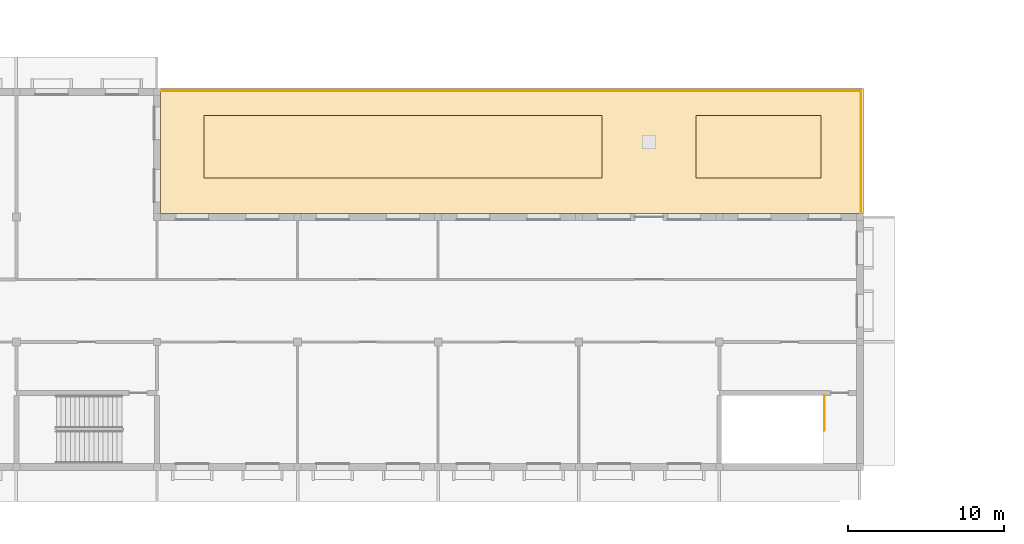
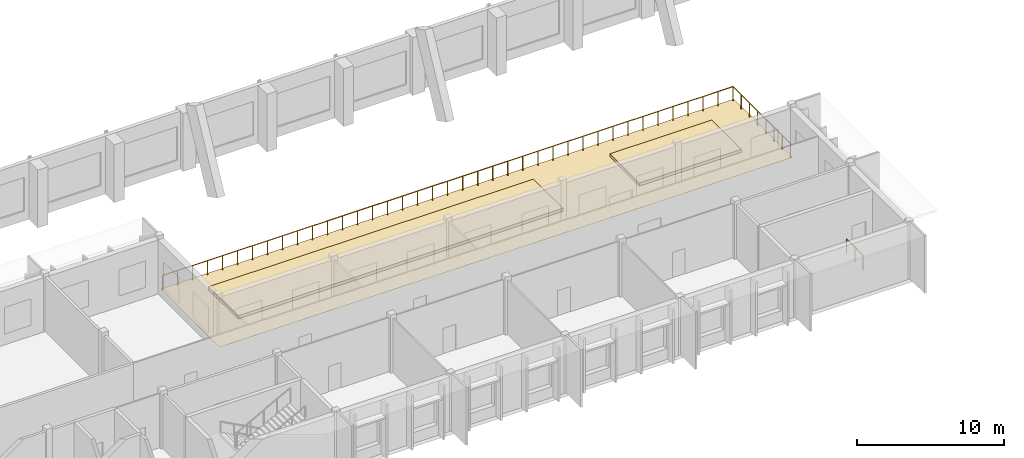
# One storey, part 174 of 182: 3 coverings, 2 railings.
"""IFC4 building model written with IfcOpenShell, lengths in metres."""

from ifc_helpers import new_model, si_unit, direction, frame, origin, origin_2d, place, context, subcontext, project, spatial, polyline, circle, outline, extrude, material, layer, layer_set, type_object, element, save


model = new_model("IFC4")

# Units and contexts
model_context = context("Model", 3, precision=1e-05, world=origin(), true_north=direction((0.0, 1.0)))
body_context = subcontext(model_context, "Body", "Model", "MODEL_VIEW")
ifc_project = project(units=[si_unit("LENGTHUNIT", "METRE"), si_unit("AREAUNIT", "SQUARE_METRE"), si_unit("VOLUMEUNIT", "CUBIC_METRE"), si_unit("PLANEANGLEUNIT", "RADIAN"), si_unit("MASSUNIT", "GRAM", prefix="KILO")], contexts=[model_context])

# Site, building, storey
site_placement = place(None, origin())
site = spatial("IfcSite", under=ifc_project, at=site_placement, CompositionType="ELEMENT")
building_placement = place(site_placement, origin())
building = spatial("IfcBuilding", under=site, at=building_placement, Name="Okhra Congress Centre", CompositionType="ELEMENT")
storey_placement = place(building_placement, frame((0.0, 0.0, 7.199951171875)))
storey = spatial("IfcBuildingStorey", under=building, at=storey_placement, Name="L01", CompositionType="ELEMENT", Elevation=7.199951171875)

# Coverings
ifc_material_1 = material(Name="Drainage mat, filter fleece, 150 mm lightweight substrate with sedum and herb planting")
ifc_layer_1 = layer(ifc_material_1, 0.25)
ifc_layer_set_1 = layer_set([ifc_layer_1], Name="Green roof planting bed 250")
covering_type_1 = type_object("IfcCoveringType", Name="Green roof planting bed 250", PredefinedType="USERDEFINED", material=ifc_layer_set_1)
covering_1_placement = place(storey_placement, frame((0.0, 0.0, 0.006103515625)))
element("IfcCovering", 1, at=covering_1_placement, inside=storey, type_object=covering_type_1, Name="Green roof planting bed", ObjectType="GREEN ROOF", PredefinedType="USERDEFINED", context=body_context, shape_type="SweptSolid", body=[
    extrude(outline(polyline([(76.0, 114.5), (101.5, 114.5), (101.5, 118.5), (76.0, 118.5), (76.0, 114.5)])), origin(), (0.0, 0.0, 1.0), 0.25),
])
covering_2_placement = place(storey_placement, frame((0.0, 0.0, 0.006103515625)))
element("IfcCovering", 2, at=covering_2_placement, inside=storey, type_object=covering_type_1, Name="Green roof planting bed", ObjectType="GREEN ROOF", PredefinedType="USERDEFINED", context=body_context, shape_type="SweptSolid", body=[
    extrude(outline(polyline([(107.5, 114.5), (115.5, 114.5), (115.5, 118.5), (107.5, 118.5), (107.5, 114.5)])), origin(), (0.0, 0.0, 1.0), 0.25),
])
ifc_material_2 = material(Name="Root-resistant bituminous waterproofing membrane, two layers")
ifc_layer_2 = layer(ifc_material_2, 0.006103515625)
ifc_layer_set_2 = layer_set([ifc_layer_2], Name="Roof waterproofing membrane 6")
covering_type_2 = type_object("IfcCoveringType", Name="Roof waterproofing membrane 6", PredefinedType="MEMBRANE", material=ifc_layer_set_2)
covering_3_placement = place(storey_placement, origin())
element("IfcCovering", 3, at=covering_3_placement, inside=storey, type_object=covering_type_2, Name="Roof waterproofing membrane", PredefinedType="MEMBRANE", context=body_context, shape_type="SweptSolid", body=[
    extrude(outline(polyline([(73.22509765625, 112.22509765625), (118.22509765625, 112.22509765625), (118.22509765625, 120.22509765625), (73.22509765625, 120.22509765625), (73.22509765625, 112.22509765625)])), origin(), (0.0, 0.0, 1.0), 0.006103515625),
])

# Railings
ifc_material_3 = material(Name="Painted steel tube guard with vertical steel balusters", Category="steel")
railing_type_1 = type_object("IfcRailingType", Name="Steel guard 1200", PredefinedType="GUARDRAIL", material=ifc_material_3)
railing_1_placement = place(storey_placement, frame((73.27490234375, 120.074951171875, 0.0)))
element("IfcRailing", 4, at=railing_1_placement, inside=storey, type_object=railing_type_1, Name="Roof garden guard, north strip", PredefinedType="GUARDRAIL", context=body_context, shape_type="SweptSolid", body=[
    extrude(circle(Radius=0.02392578125, at=origin_2d()), frame((0.0, 0.0, 1.17578125), z_axis=(1.0, 0.0, 0.0), x_axis=(0.0, 1.0, 0.0)), (0.0, 0.0, 1.0), 44.800048828125),
    extrude(circle(Radius=0.02392578125, at=origin_2d()), frame((44.800048828125, 0.0, 1.17578125), z_axis=(0.0, -1.0, 0.0), x_axis=(1.0, 0.0, 0.0)), (0.0, 0.0, 1.0), 7.800048828125),
    extrude(circle(Radius=0.02099609375, at=origin_2d()), origin(), (0.0, 0.0, 1.0), 1.15185546875),
    extrude(circle(Radius=0.02099609375, at=origin_2d()), frame((1.178955078125, 0.0, 0.0)), (0.0, 0.0, 1.0), 1.15185546875),
    extrude(circle(Radius=0.02099609375, at=origin_2d()), frame((2.35791015625, 0.0, 0.0)), (0.0, 0.0, 1.0), 1.15185546875),
    extrude(circle(Radius=0.02099609375, at=origin_2d()), frame((3.536865234375, 0.0, 0.0)), (0.0, 0.0, 1.0), 1.15185546875),
    extrude(circle(Radius=0.02099609375, at=origin_2d()), frame((4.7158203125, 0.0, 0.0)), (0.0, 0.0, 1.0), 1.15185546875),
    extrude(circle(Radius=0.02099609375, at=origin_2d()), frame((5.894775390625, 0.0, 0.0)), (0.0, 0.0, 1.0), 1.15185546875),
    extrude(circle(Radius=0.02099609375, at=origin_2d()), frame((7.07373046875, 0.0, 0.0)), (0.0, 0.0, 1.0), 1.15185546875),
    extrude(circle(Radius=0.02099609375, at=origin_2d()), frame((8.252685546875, 0.0, 0.0)), (0.0, 0.0, 1.0), 1.15185546875),
    extrude(circle(Radius=0.02099609375, at=origin_2d()), frame((9.431640625, 0.0, 0.0)), (0.0, 0.0, 1.0), 1.15185546875),
    extrude(circle(Radius=0.02099609375, at=origin_2d()), frame((10.610595703125, 0.0, 0.0)), (0.0, 0.0, 1.0), 1.15185546875),
    extrude(circle(Radius=0.02099609375, at=origin_2d()), frame((11.78955078125, 0.0, 0.0)), (0.0, 0.0, 1.0), 1.15185546875),
    extrude(circle(Radius=0.02099609375, at=origin_2d()), frame((12.968505859375, 0.0, 0.0)), (0.0, 0.0, 1.0), 1.15185546875),
    extrude(circle(Radius=0.02099609375, at=origin_2d()), frame((14.1474609375, 0.0, 0.0)), (0.0, 0.0, 1.0), 1.15185546875),
    extrude(circle(Radius=0.02099609375, at=origin_2d()), frame((15.326416015625, 0.0, 0.0)), (0.0, 0.0, 1.0), 1.15185546875),
    extrude(circle(Radius=0.02099609375, at=origin_2d()), frame((16.50537109375, 0.0, 0.0)), (0.0, 0.0, 1.0), 1.15185546875),
    extrude(circle(Radius=0.02099609375, at=origin_2d()), frame((17.684326171875, 0.0, 0.0)), (0.0, 0.0, 1.0), 1.15185546875),
    extrude(circle(Radius=0.02099609375, at=origin_2d()), frame((18.86328125, 0.0, 0.0)), (0.0, 0.0, 1.0), 1.15185546875),
    extrude(circle(Radius=0.02099609375, at=origin_2d()), frame((20.042236328125, 0.0, 0.0)), (0.0, 0.0, 1.0), 1.15185546875),
    extrude(circle(Radius=0.02099609375, at=origin_2d()), frame((21.22119140625, 0.0, 0.0)), (0.0, 0.0, 1.0), 1.15185546875),
    extrude(circle(Radius=0.02099609375, at=origin_2d()), frame((22.39990234375, 0.0, 0.0)), (0.0, 0.0, 1.0), 1.15185546875),
    extrude(circle(Radius=0.02099609375, at=origin_2d()), frame((23.578857421875, 0.0, 0.0)), (0.0, 0.0, 1.0), 1.15185546875),
    extrude(circle(Radius=0.02099609375, at=origin_2d()), frame((24.7578125, 0.0, 0.0)), (0.0, 0.0, 1.0), 1.15185546875),
    extrude(circle(Radius=0.02099609375, at=origin_2d()), frame((25.936767578125, 0.0, 0.0)), (0.0, 0.0, 1.0), 1.15185546875),
    extrude(circle(Radius=0.02099609375, at=origin_2d()), frame((27.11572265625, 0.0, 0.0)), (0.0, 0.0, 1.0), 1.15185546875),
    extrude(circle(Radius=0.02099609375, at=origin_2d()), frame((28.294677734375, 0.0, 0.0)), (0.0, 0.0, 1.0), 1.15185546875),
    extrude(circle(Radius=0.02099609375, at=origin_2d()), frame((29.4736328125, 0.0, 0.0)), (0.0, 0.0, 1.0), 1.15185546875),
    extrude(circle(Radius=0.02099609375, at=origin_2d()), frame((30.652587890625, 0.0, 0.0)), (0.0, 0.0, 1.0), 1.15185546875),
    extrude(circle(Radius=0.02099609375, at=origin_2d()), frame((31.83154296875, 0.0, 0.0)), (0.0, 0.0, 1.0), 1.15185546875),
    extrude(circle(Radius=0.02099609375, at=origin_2d()), frame((33.010498046875, 0.0, 0.0)), (0.0, 0.0, 1.0), 1.15185546875),
    extrude(circle(Radius=0.02099609375, at=origin_2d()), frame((34.189453125, 0.0, 0.0)), (0.0, 0.0, 1.0), 1.15185546875),
    extrude(circle(Radius=0.02099609375, at=origin_2d()), frame((35.368408203125, 0.0, 0.0)), (0.0, 0.0, 1.0), 1.15185546875),
    extrude(circle(Radius=0.02099609375, at=origin_2d()), frame((36.54736328125, 0.0, 0.0)), (0.0, 0.0, 1.0), 1.15185546875),
    extrude(circle(Radius=0.02099609375, at=origin_2d()), frame((37.726318359375, 0.0, 0.0)), (0.0, 0.0, 1.0), 1.15185546875),
    extrude(circle(Radius=0.02099609375, at=origin_2d()), frame((38.9052734375, 0.0, 0.0)), (0.0, 0.0, 1.0), 1.15185546875),
    extrude(circle(Radius=0.02099609375, at=origin_2d()), frame((40.084228515625, 0.0, 0.0)), (0.0, 0.0, 1.0), 1.15185546875),
    extrude(circle(Radius=0.02099609375, at=origin_2d()), frame((41.26318359375, 0.0, 0.0)), (0.0, 0.0, 1.0), 1.15185546875),
    extrude(circle(Radius=0.02099609375, at=origin_2d()), frame((42.442138671875, 0.0, 0.0)), (0.0, 0.0, 1.0), 1.15185546875),
    extrude(circle(Radius=0.02099609375, at=origin_2d()), frame((43.62109375, 0.0, 0.0)), (0.0, 0.0, 1.0), 1.15185546875),
    extrude(circle(Radius=0.02099609375, at=origin_2d()), frame((44.800048828125, 0.0, 0.0)), (0.0, 0.0, 1.0), 1.15185546875),
    extrude(circle(Radius=0.02099609375, at=origin_2d()), frame((44.800048828125, -1.1142578125, 0.0)), (0.0, 0.0, 1.0), 1.15185546875),
    extrude(circle(Radius=0.02099609375, at=origin_2d()), frame((44.800048828125, -2.228515625, 0.0)), (0.0, 0.0, 1.0), 1.15185546875),
    extrude(circle(Radius=0.02099609375, at=origin_2d()), frame((44.800048828125, -3.3427734375, 0.0)), (0.0, 0.0, 1.0), 1.15185546875),
    extrude(circle(Radius=0.02099609375, at=origin_2d()), frame((44.800048828125, -4.457275390625, 0.0)), (0.0, 0.0, 1.0), 1.15185546875),
    extrude(circle(Radius=0.02099609375, at=origin_2d()), frame((44.800048828125, -5.571533203125, 0.0)), (0.0, 0.0, 1.0), 1.15185546875),
    extrude(circle(Radius=0.02099609375, at=origin_2d()), frame((44.800048828125, -6.685791015625, 0.0)), (0.0, 0.0, 1.0), 1.15185546875),
    extrude(circle(Radius=0.02099609375, at=origin_2d()), frame((44.800048828125, -7.800048828125, 0.0)), (0.0, 0.0, 1.0), 1.15185546875),
])
railing_type_2 = type_object("IfcRailingType", Name="Steel stair guard 1200", PredefinedType="GUARDRAIL", material=ifc_material_3)
railing_2_placement = place(storey_placement, frame((115.72509765625, 100.574951171875, 0.0)))
element("IfcRailing", 5, at=railing_2_placement, inside=storey, type_object=railing_type_2, Name="L01 C top well guard 1", PredefinedType="GUARDRAIL", context=body_context, shape_type="SweptSolid", body=[
    extrude(circle(Radius=0.02392578125, at=origin_2d()), frame((0.0, 0.0, 1.17578125), z_axis=(0.0, -1.0, 0.0), x_axis=(1.0, 0.0, 0.0)), (0.0, 0.0, 1.0), 2.25),
    extrude(circle(Radius=0.02099609375, at=origin_2d()), origin(), (0.0, 0.0, 1.0), 1.15185546875),
    extrude(circle(Radius=0.02099609375, at=origin_2d()), frame((0.0, -1.125, 0.0)), (0.0, 0.0, 1.0), 1.15185546875),
    extrude(circle(Radius=0.02099609375, at=origin_2d()), frame((0.0, -2.25, 0.0)), (0.0, 0.0, 1.0), 1.15185546875),
])

save(model, "model.ifc")
